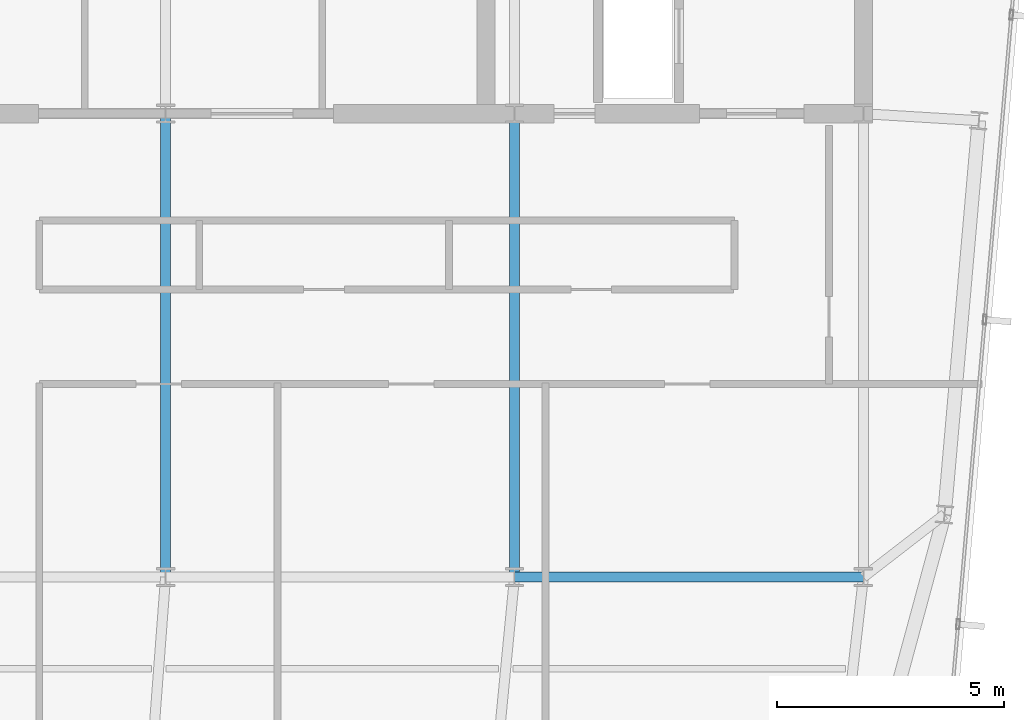
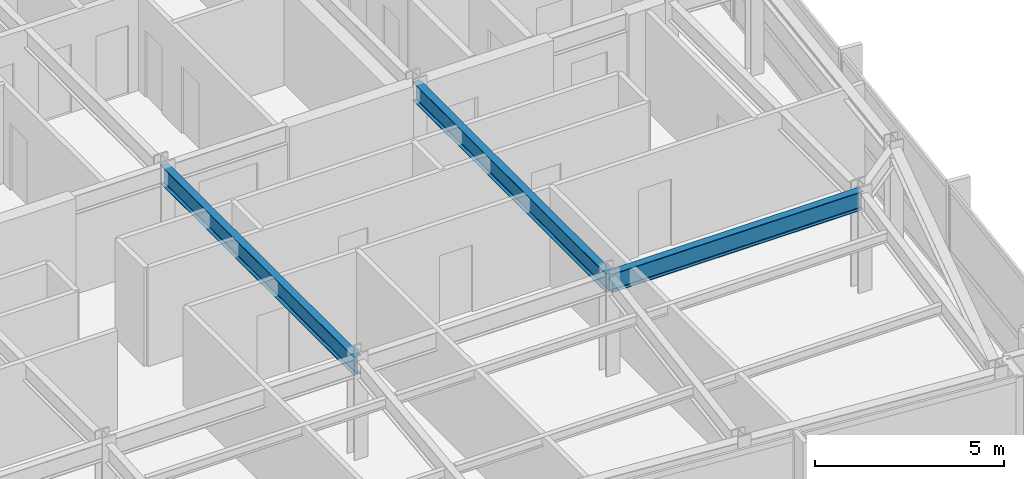
# One storey, part 11 of 24: 3 beams.
"""IFC4 building model written with IfcOpenShell, lengths in metres."""

from ifc_helpers import new_model, si_unit, direction, frame, origin, origin_2d, place, context, subcontext, project, spatial, i_section, extrude, material, material_profile, profile_set, type_object, element, save


model = new_model("IFC4")

# Units and contexts
model_context = context("Model", 3, precision=1e-05, world=origin(), true_north=direction((0.0, 1.0)))
body_context = subcontext(model_context, "Body", "Model", "MODEL_VIEW")
ifc_project = project(units=[si_unit("LENGTHUNIT", "METRE"), si_unit("AREAUNIT", "SQUARE_METRE"), si_unit("VOLUMEUNIT", "CUBIC_METRE"), si_unit("PLANEANGLEUNIT", "RADIAN"), si_unit("MASSUNIT", "GRAM", prefix="KILO")], contexts=[model_context])

# Site, building, storey
site_placement = place(None, origin())
site = spatial("IfcSite", under=ifc_project, at=site_placement, CompositionType="ELEMENT")
building_placement = place(site_placement, origin())
building = spatial("IfcBuilding", under=site, at=building_placement, Name="Yelkora Congress Tower", CompositionType="ELEMENT")
storey_placement = place(building_placement, frame((0.0, 0.0, 296.5)))
storey = spatial("IfcBuildingStorey", under=building, at=storey_placement, Name="L83", CompositionType="ELEMENT", Elevation=296.5)

# Beams
ifc_material = material(Name="Steel S355J2", Category="steel")
ifc_material_profile = material_profile(ifc_material, i_section(OverallWidth=0.219970703125, OverallDepth=0.60009765625, WebThickness=0.011962890625, FlangeThickness=0.01904296875, FilletRadius=0.02392578125, at=origin_2d()), Name="IPE 600")
ifc_profile_set = profile_set([ifc_material_profile], Name="Steel S355J2")
beam_type = type_object("IfcBeamType", Name="BM-GIRD-IPE600", PredefinedType="BEAM", material=ifc_profile_set)
beam_placement = place(storey_placement, frame((46.080078125, 25.199951171875, 2.8798828125), z_axis=(1.0, 0.0, 0.0), x_axis=(0.0, 1.0, 0.0)))
element("IfcBeam", 1, at=beam_placement, inside=storey, type_object=beam_type, Name="L83 Spine Grid D Girder 4", PredefinedType="BEAM", context=body_context, shape_type="SweptSolid", body=[
    extrude(i_section(OverallWidth=0.219970703125, OverallDepth=0.60009765625, WebThickness=0.011962890625, FlangeThickness=0.01904296875, FilletRadius=0.02392578125, at=origin_2d()), origin(), (0.0, 0.0, 1.0), 7.679931640625),
])
for number, where, z_axis, x_axis, name in (
    (2, (38.39990234375, 25.199951171875, 2.8798828125), (0.0, 1.0, 0.0), (-1.0, 0.0, 0.0), "L83 Core Tie Girder MC-D3"),
    (3, (46.080078125, 25.199951171875, 2.8798828125), (0.0, 1.0, 0.0), (-1.0, 0.0, 0.0), "L83 Core Tie Girder MC-D4"),
):
    element("IfcBeam", number, at=place(storey_placement, frame(where, z_axis=z_axis, x_axis=x_axis)), inside=storey, type_object=beam_type, Name=name, PredefinedType="BEAM", context=body_context, shape_type="SweptSolid", body=[
        extrude(i_section(OverallWidth=0.219970703125, OverallDepth=0.60009765625, WebThickness=0.011962890625, FlangeThickness=0.01904296875, FilletRadius=0.02392578125, at=origin_2d()), origin(), (0.0, 0.0, 1.0), 10.199951171875),
    ])

save(model, "model.ifc")
